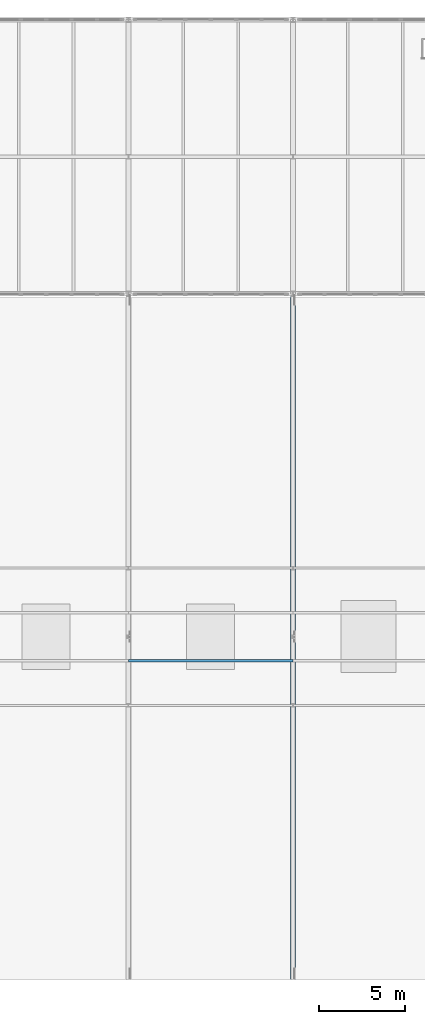
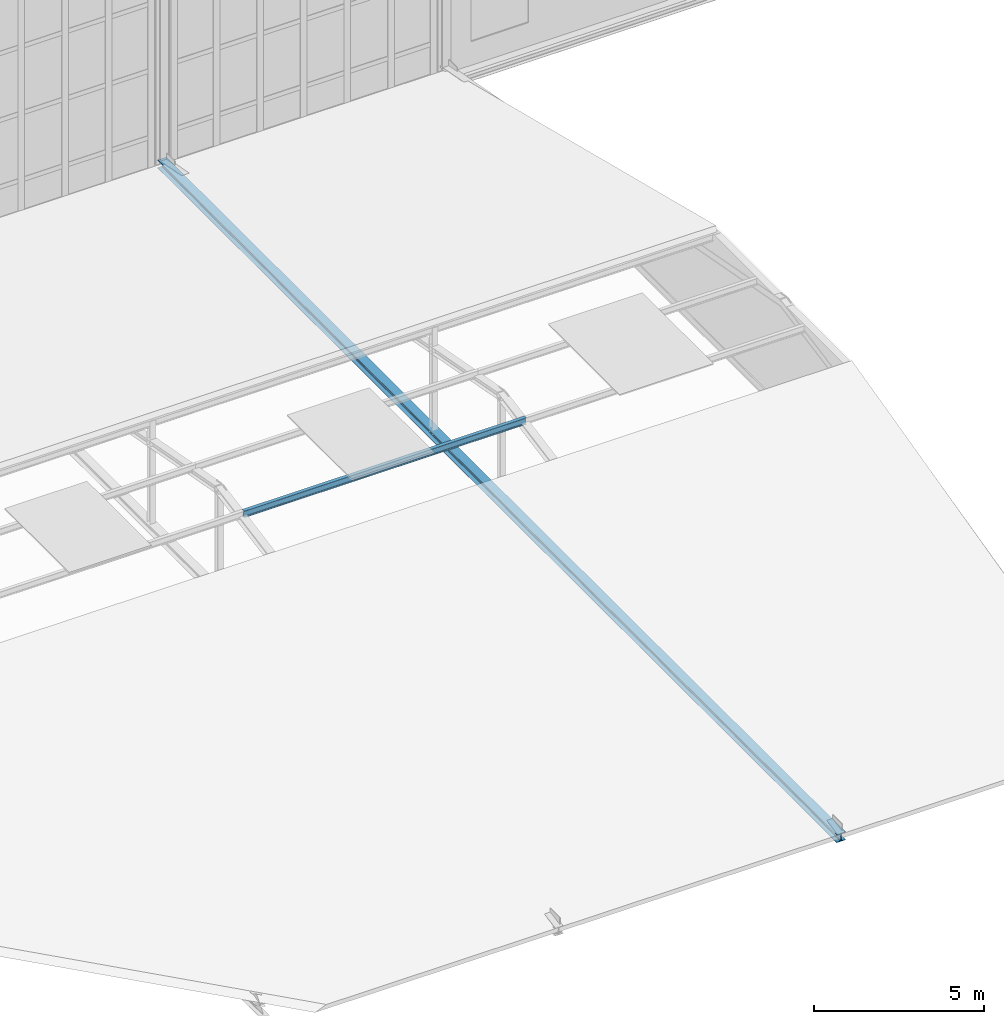
# One storey, part 31 of 73: 1 beam, 1 member.
"""IFC4 building model written with IfcOpenShell, lengths in metres."""

from ifc_helpers import new_model, si_unit, direction, frame, origin, origin_2d, place, context, subcontext, project, spatial, i_section, extrude, material, material_profile, profile_set, type_object, element, save


model = new_model("IFC4")

# Units and contexts
model_context = context("Model", 3, precision=1e-05, world=origin(), true_north=direction((0.0, 1.0)))
body_context = subcontext(model_context, "Body", "Model", "MODEL_VIEW")
ifc_project = project(units=[si_unit("LENGTHUNIT", "METRE"), si_unit("AREAUNIT", "SQUARE_METRE"), si_unit("VOLUMEUNIT", "CUBIC_METRE"), si_unit("PLANEANGLEUNIT", "RADIAN"), si_unit("MASSUNIT", "GRAM", prefix="KILO")], contexts=[model_context])

# Site, building, storey
site_placement = place(None, origin())
site = spatial("IfcSite", under=ifc_project, at=site_placement, CompositionType="ELEMENT")
building_placement = place(site_placement, origin())
building = spatial("IfcBuilding", under=site, at=building_placement, Name="Alderhovde Museum", CompositionType="ELEMENT")
storey_placement = place(building_placement, frame((0.0, 0.0, 17.39990234375)))
storey = spatial("IfcBuildingStorey", under=building, at=storey_placement, Name="L04", CompositionType="ELEMENT", Elevation=17.39990234375)

# Beam
ifc_material_1 = material(Name="Steel S355J2", Category="steel")
ifc_material_profile_1 = material_profile(ifc_material_1, i_section(OverallWidth=0.1201171875, OverallDepth=0.239990234375, WebThickness=0.006103515625, FlangeThickness=0.009765625, FilletRadius=0.014892578125, at=origin_2d()), Name="IPE 240")
ifc_profile_set_1 = profile_set([ifc_material_profile_1], Name="Steel S355J2")
beam_type = type_object("IfcBeamType", Name="BM-IPE240", PredefinedType="BEAM", material=ifc_profile_set_1)
beam_placement = place(storey_placement, frame((96.0, 50.60009765625, 3.840087890625), z_axis=(1.0, 0.0, 0.0), x_axis=(0.0, 1.0, 0.0)))
element("IfcBeam", 1, at=beam_placement, inside=storey, type_object=beam_type, Name="Atrium Ridge Bearer Y=51", PredefinedType="BEAM", context=body_context, shape_type="SweptSolid", body=[
    extrude(i_section(OverallWidth=0.1201171875, OverallDepth=0.239990234375, WebThickness=0.006103515625, FlangeThickness=0.009765625, FilletRadius=0.014892578125, at=origin_2d()), origin(), (0.0, 0.0, 1.0), 9.60009765625),
])

# Member
ifc_material_2 = material(Name="Steel S355J2", Category="steel")
ifc_material_profile_2 = material_profile(ifc_material_2, i_section(OverallWidth=0.300048828125, OverallDepth=0.2900390625, WebThickness=0.008544921875, FlangeThickness=0.013916015625, FilletRadius=0.027099609375, at=origin_2d()), Name="HEA 300")
ifc_profile_set_2 = profile_set([ifc_material_profile_2], Name="Steel S355J2")
member_type = type_object("IfcMemberType", Name="TR-CH-HEA300", PredefinedType="CHORD", material=ifc_profile_set_2)
member_placement = place(storey_placement, frame((105.60009765625, 32.0, 0.1201171875), z_axis=(0.0, 1.0, 0.0), x_axis=(-1.0, 0.0, 0.0)))
element("IfcMember", 2, at=member_placement, inside=storey, type_object=member_type, Name="Atrium Truss X=105.6 Continuous Tie", PredefinedType="CHORD", context=body_context, shape_type="SweptSolid", body=[
    extrude(i_section(OverallWidth=0.300048828125, OverallDepth=0.2900390625, WebThickness=0.008544921875, FlangeThickness=0.013916015625, FilletRadius=0.027099609375, at=origin_2d()), origin(), (0.0, 0.0, 1.0), 40.0),
])

save(model, "model.ifc")
